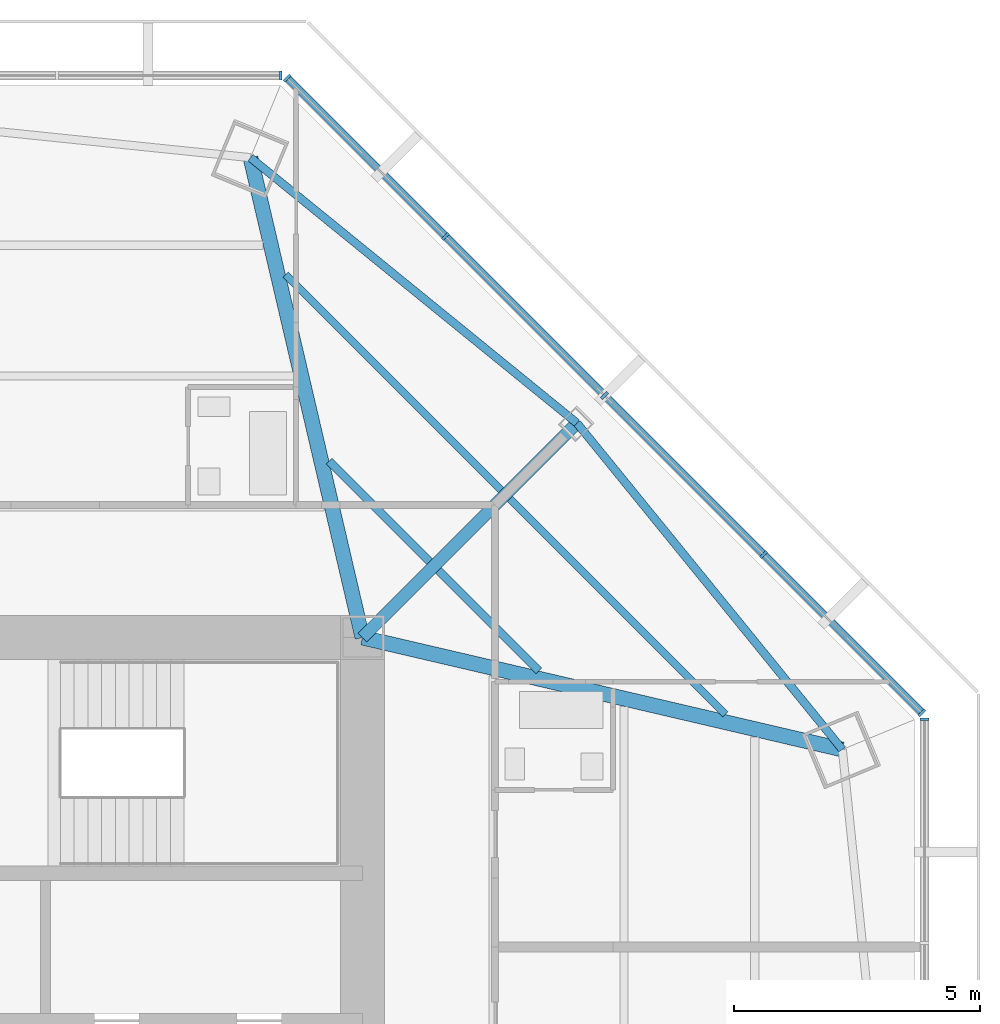
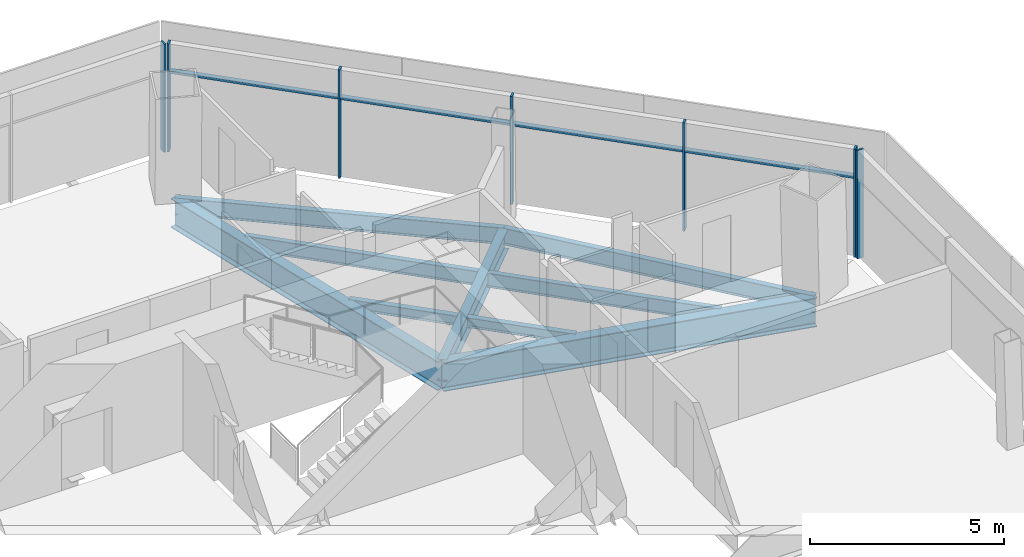
# One storey, part 6 of 15: 11 members, 9 beams, 3 elements without a shape of their own.
"""IFC4 building model written with IfcOpenShell, lengths in metres."""

import ifcopenshell
import ifcopenshell.guid

model = None  # the IFC model being written
_history = None  # IfcOwnerHistory: only IFC2X3 demands one
_inside = {}  # id of a spatial element -> (the spatial element, [elements in it])
_under = {}  # id of a project, library or spatial element -> (it, [spatial elements below it])
_declared = {}  # id of a project -> (the project, [libraries it declares])
_typed = {}  # id of a type object -> (the type object, [elements of that type])
_made_of = {}  # id of a material, layer set ... -> (it, [elements and type objects made of it])


def new_model(schema):
    """Start an empty IFC model of exactly this schema.

    Asked for "IFC4X3", IfcOpenShell would pick the latest addendum, in which some entities
    have other attributes; the version numbers below select the first issue.
    IFC2X3 requires an IfcOwnerHistory on every rooted entity: one is made here for all.
    """
    global model, _history
    if schema == "IFC4X3":
        model = ifcopenshell.file(schema_version=(4, 3, 0, 0))
    else:
        model = ifcopenshell.file(schema=schema)
    _inside.clear()
    _under.clear()
    _declared.clear()
    _typed.clear()
    _made_of.clear()
    _history = None
    if model.schema == "IFC2X3":
        org = make("IfcOrganization", Name="unknown")
        user = make(
            "IfcPersonAndOrganization",
            ThePerson=make("IfcPerson", FamilyName="unknown"),
            TheOrganization=org,
        )
        app = make(
            "IfcApplication",
            ApplicationDeveloper=org,
            Version="unknown",
            ApplicationFullName="unknown",
            ApplicationIdentifier="unknown",
        )
        _history = make(
            "IfcOwnerHistory",
            OwningUser=user,
            OwningApplication=app,
            ChangeAction="ADDED",
            CreationDate=0,
        )
    return model


def make(cls, **values):
    """One entity of the class cls with the attributes given. An attribute that is None is left unset."""
    return model.create_entity(
        cls, **{name: value for name, value in values.items() if value is not None}
    )


def rooted(cls, **values):
    """An entity with a GlobalId (a new one), such as an element, a storey or a relation."""
    return make(cls, GlobalId=ifcopenshell.guid.new(), OwnerHistory=_history, **values)


def si_unit(unit_type, name, prefix=None):
    """IfcSIUnit, for example si_unit("LENGTHUNIT", "METRE", prefix="MILLI")."""
    return make("IfcSIUnit", UnitType=unit_type, Prefix=prefix, Name=name)


def assignment(units):
    """IfcUnitAssignment: the units of a project."""
    return None if units is None else make("IfcUnitAssignment", Units=units)


def point(xyz):
    """IfcCartesianPoint."""
    return None if xyz is None else make("IfcCartesianPoint", Coordinates=xyz)


def direction(xyz):
    """IfcDirection."""
    return None if xyz is None else make("IfcDirection", DirectionRatios=xyz)


def frame(location, z_axis=None, x_axis=None):
    """IfcAxis2Placement3D, a coordinate frame: its origin and axes. An axis left out is left unset."""
    return make(
        "IfcAxis2Placement3D",
        Location=point(location),
        Axis=direction(z_axis),
        RefDirection=direction(x_axis),
    )


def frame_2d(location, x_axis=None):
    """IfcAxis2Placement2D, a coordinate frame in the plane: its origin and x axis."""
    return make(
        "IfcAxis2Placement2D", Location=point(location), RefDirection=direction(x_axis)
    )


def origin():
    """The frame at (0, 0, 0) with its axes left unset."""
    return frame((0.0, 0.0, 0.0))


def origin_2d():
    """The frame at (0, 0) in the plane with its x axis left unset."""
    return frame_2d((0.0, 0.0))


def place(relative_to, where):
    """IfcLocalPlacement: puts the frame where relative to a parent placement (None: the world)."""
    return make(
        "IfcLocalPlacement", PlacementRelTo=relative_to, RelativePlacement=where
    )


def context(
    kind, dimensions, precision=None, world=None, true_north=None, identifier=None
):
    """IfcGeometricRepresentationContext, for example the 3D "Model" context."""
    return make(
        "IfcGeometricRepresentationContext",
        ContextIdentifier=identifier,
        ContextType=kind,
        CoordinateSpaceDimension=dimensions,
        Precision=precision,
        WorldCoordinateSystem=world,
        TrueNorth=true_north,
    )


def subcontext(parent, identifier, kind, view, scale=None):
    """IfcGeometricRepresentationSubContext, for example "Body" below "Model"."""
    return make(
        "IfcGeometricRepresentationSubContext",
        ContextIdentifier=identifier,
        ContextType=kind,
        ParentContext=parent,
        TargetScale=scale,
        TargetView=view,
    )


def project(units=None, contexts=None):
    """IfcProject with its units and contexts."""
    return rooted(
        "IfcProject",
        Name="project",
        RepresentationContexts=contexts,
        UnitsInContext=assignment(units),
    )


def spatial(cls, under=None, at=None, **own):
    """A site, building, storey or space (cls), placed at a placement, below another one or the project."""
    s = rooted(cls, ObjectPlacement=at, **own)
    if under is not None:
        _under.setdefault(under.id(), (under, []))[1].append(s)
    return s


def profile(cls, at=None, kind="AREA", **sizes):
    """A parametric profile (cls). Its sizes go by their IFC names, for example OverallWidth=200.0."""
    return make(cls, ProfileType=kind, Position=at, **sizes)


def rectangle(**sizes):
    """IfcRectangleProfileDef."""
    return profile("IfcRectangleProfileDef", **sizes)


def i_section(**sizes):
    """IfcIShapeProfileDef."""
    return profile("IfcIShapeProfileDef", **sizes)


def extrude(swept, where, along, depth):
    """IfcExtrudedAreaSolid: the profile swept, set in the frame where, extruded along a direction by depth."""
    return make(
        "IfcExtrudedAreaSolid",
        SweptArea=swept,
        Position=where,
        ExtrudedDirection=direction(along),
        Depth=depth,
    )


def shape(context_of_items, identifier, shape_type, items):
    """IfcShapeRepresentation: the items that make up one representation, for example the "Body"."""
    return make(
        "IfcShapeRepresentation",
        ContextOfItems=context_of_items,
        RepresentationIdentifier=identifier,
        RepresentationType=shape_type,
        Items=items,
    )


def source(mapping_origin, context_of_items, identifier, shape_type, items):
    """IfcRepresentationMap: a shape defined once, which mapped items show again and again."""
    return make(
        "IfcRepresentationMap",
        MappingOrigin=mapping_origin,
        MappedRepresentation=shape(context_of_items, identifier, shape_type, items),
    )


def transform(
    local_origin,
    x_axis=None,
    y_axis=None,
    z_axis=None,
    scale=None,
    scale2=None,
    scale3=None,
    uniform=True,
):
    """IfcCartesianTransformationOperator3D, or its non-uniform kind. x_axis, y_axis, z_axis: its Axis1, 2, 3."""
    if uniform:
        return make(
            "IfcCartesianTransformationOperator3D",
            Axis1=direction(x_axis),
            Axis2=direction(y_axis),
            LocalOrigin=point(local_origin),
            Scale=scale,
            Axis3=direction(z_axis),
        )
    return make(
        "IfcCartesianTransformationOperator3DnonUniform",
        Axis1=direction(x_axis),
        Axis2=direction(y_axis),
        LocalOrigin=point(local_origin),
        Scale=scale,
        Axis3=direction(z_axis),
        Scale2=scale2,
        Scale3=scale3,
    )


def mapped(mapping_source, mapping_target):
    """IfcMappedItem: shows the shape of a source again, moved by a transform."""
    return make(
        "IfcMappedItem", MappingSource=mapping_source, MappingTarget=mapping_target
    )


def material(Name=None, Category=None):
    """IfcMaterial."""
    return make("IfcMaterial", Name=Name, Category=Category)


def material_profile(
    of_material, cross_section, Name=None, Category=None, Priority=None
):
    """IfcMaterialProfile: a cross section and its material."""
    return make(
        "IfcMaterialProfile",
        Name=Name,
        Material=of_material,
        Profile=cross_section,
        Priority=Priority,
        Category=Category,
    )


def profile_set(profiles, Name=None, composite=None):
    """IfcMaterialProfileSet."""
    return make(
        "IfcMaterialProfileSet",
        Name=Name,
        MaterialProfiles=profiles,
        CompositeProfile=composite,
    )


def made_of(thing, what):
    """Note that an element or type object is made of a material, layer set ...; save() writes the relation."""
    if what is not None:
        _made_of.setdefault(what.id(), (what, []))[1].append(thing)
    return thing


def type_object(cls, material=None, **own):
    """A type object (cls), such as IfcWallType, which elements share."""
    return made_of(rooted(cls, **own), material)


def type_shapes(of_type, sources):
    """Give a type object the sources (RepresentationMaps) that its elements show as mapped items."""
    of_type.RepresentationMaps = sources


def element(
    cls,
    number,
    at=None,
    inside=None,
    cuts=None,
    type_object=None,
    material=None,
    context=None,
    identifier="Body",
    shape_type=None,
    held_by="IfcProductDefinitionShape",
    body=None,
    shapes=None,
    **own,
):
    """One element of the class cls, such as IfcWall. Its Tag is "e" and its number.

    at: its placement. inside: the storey or other place that contains it. cuts: it is an
    opening in that element (IfcRelVoidsElement). A single representation is given by context,
    identifier, shape_type and body (its items); several are given by shapes. held_by: the class
    of the entity that holds the representations. save() writes the other relations.
    """
    e = rooted(cls, Tag="e%d" % number, ObjectPlacement=at, **own)
    if body is not None:
        shapes = [shape(context, identifier, shape_type, body)]
    if shapes is not None:
        e.Representation = make(held_by, Representations=shapes)
    if inside is not None:
        _inside.setdefault(inside.id(), (inside, []))[1].append(e)
    if cuts is not None:
        rooted(
            "IfcRelVoidsElement", RelatingBuildingElement=cuts, RelatedOpeningElement=e
        )
    if type_object is not None:
        _typed.setdefault(type_object.id(), (type_object, []))[1].append(e)
    return made_of(e, material)


def aggregate(whole, parts):
    """IfcRelAggregates: a whole, such as a stair, and the parts it consists of."""
    return rooted("IfcRelAggregates", RelatingObject=whole, RelatedObjects=parts)


def save(model, path):
    """Write the relations noted so far, then the file.

    IfcRelAggregates (storeys below a building ...), IfcRelContainedInSpatialStructure (elements
    in a storey), IfcRelDefinesByType, IfcRelAssociatesMaterial and IfcRelDeclares: one each for
    every whole, place, type object, material and project.
    """
    for whole, parts in _under.values():
        aggregate(whole, parts)
    for where, things in _inside.values():
        rooted(
            "IfcRelContainedInSpatialStructure",
            RelatedElements=things,
            RelatingStructure=where,
        )
    for kind, things in _typed.values():
        rooted("IfcRelDefinesByType", RelatedObjects=things, RelatingType=kind)
    for what, things in _made_of.values():
        rooted("IfcRelAssociatesMaterial", RelatedObjects=things, RelatingMaterial=what)
    for by, libraries in _declared.values():
        rooted("IfcRelDeclares", RelatingContext=by, RelatedDefinitions=libraries)
    model.write(path)


model = new_model("IFC4")

# Units and contexts
model_context = context("Model", 3, precision=1e-05, world=origin(), true_north=direction((0.0, 1.0)))
body_context = subcontext(model_context, "Body", "Model", "MODEL_VIEW")
ifc_project = project(units=[si_unit("LENGTHUNIT", "METRE"), si_unit("AREAUNIT", "SQUARE_METRE"), si_unit("VOLUMEUNIT", "CUBIC_METRE"), si_unit("PLANEANGLEUNIT", "RADIAN"), si_unit("MASSUNIT", "GRAM", prefix="KILO")], contexts=[model_context])

# Site, building, storey
site_placement = place(None, origin())
site = spatial("IfcSite", under=ifc_project, at=site_placement, CompositionType="ELEMENT")
building_placement = place(site_placement, origin())
building = spatial("IfcBuilding", under=site, at=building_placement, Name="Mashrafa Tower", CompositionType="ELEMENT")
storey_placement = place(building_placement, frame((0.0, 0.0, 204.0)))
storey = spatial("IfcBuildingStorey", under=building, at=storey_placement, Name="L46", CompositionType="ELEMENT", Elevation=204.0)

# Beams
ifc_material_1 = material(Name="Steel ASTM A992", Category="steel")
ifc_material_profile_1 = material_profile(ifc_material_1, i_section(OverallWidth=0.164794921875, OverallDepth=0.309814453125, WebThickness=0.005859375, FlangeThickness=0.009765625, FilletRadius=0.007568359375, at=origin_2d()), Name="W12X26")
ifc_profile_set_1 = profile_set([ifc_material_profile_1], Name="Steel ASTM A992")
beam_type_1 = type_object("IfcBeamType", Name="Beam W12X26", PredefinedType="BEAM", material=ifc_profile_set_1)
for number, where, z_axis, x_axis, name in (
    (1, (10.118408203125, 14.392822265625, -0.35498046875), (0.707148937372, -0.707064622488, 0.0), (0.707064622488, 0.707148937372, 0.0), "Floor beam L46 027"),
    (2, (12.345458984375, 12.166015625, -0.35498046875), (0.707064622488, -0.707148937372, 0.0), (0.707148937372, 0.707064622488, 0.0), "Floor beam L46 030"),
):
    element("IfcBeam", number, at=place(storey_placement, frame(where, z_axis=z_axis, x_axis=x_axis)), inside=storey, type_object=beam_type_1, Name=name, PredefinedType="BEAM", context=body_context, shape_type="SweptSolid", body=[
        extrude(i_section(OverallWidth=0.164794921875, OverallDepth=0.309814453125, WebThickness=0.005859375, FlangeThickness=0.009765625, FilletRadius=0.007568359375, at=origin_2d()), origin(), (0.0, 0.0, 1.0), 2.8955078125),
    ])
ifc_material_2 = material(Name="Steel ASTM A992", Category="steel")
ifc_material_profile_2 = material_profile(ifc_material_2, i_section(OverallWidth=0.15234375, OverallDepth=0.449462890625, WebThickness=0.007568359375, FlangeThickness=0.0107421875, FilletRadius=0.01025390625, at=origin_2d()), Name="W18X35")
ifc_profile_set_2 = profile_set([ifc_material_profile_2], Name="Steel ASTM A992")
beam_type_2 = type_object("IfcBeamType", Name="Beam W18X35", PredefinedType="BEAM", material=ifc_profile_set_2)
for number, where, z_axis, x_axis, name in (
    (3, (9.23291015625, 18.18994140625, -0.4248046875), (0.707106781187, -0.707106781187, 0.0), (0.707106781187, 0.707106781187, 0.0), "Floor beam L46 025"),
    (4, (13.80126953125, 13.62158203125, -0.4248046875), (0.707106781187, -0.707106781187, 0.0), (0.707106781187, 0.707106781187, 0.0), "Floor beam L46 034"),
):
    element("IfcBeam", number, at=place(storey_placement, frame(where, z_axis=z_axis, x_axis=x_axis)), inside=storey, type_object=beam_type_2, Name=name, PredefinedType="BEAM", context=body_context, shape_type="SweptSolid", body=[
        extrude(i_section(OverallWidth=0.15234375, OverallDepth=0.449462890625, WebThickness=0.007568359375, FlangeThickness=0.0107421875, FilletRadius=0.01025390625, at=origin_2d()), origin(), (0.0, 0.0, 1.0), 6.20654296875),
    ])
ifc_material_3 = material(Name="Steel ASTM A992", Category="steel")
ifc_material_profile_3 = material_profile(ifc_material_3, i_section(OverallWidth=0.1650390625, OverallDepth=0.52587890625, WebThickness=0.0087890625, FlangeThickness=0.011474609375, FilletRadius=0.0126953125, at=origin_2d()), Name="W21X44")
ifc_profile_set_3 = profile_set([ifc_material_profile_3], Name="Steel ASTM A992")
beam_type_3 = type_object("IfcBeamType", Name="Beam W21X44", PredefinedType="BEAM", material=ifc_profile_set_3)
for number, where, z_axis, x_axis, name in (
    (5, (15.1669921875, 15.1669921875, -0.462890625), (-0.775861114857, 0.630903741036, 0.0), (-0.630903741036, -0.775861114857, 0.0), "Spandrel beam L46 069"),
    (6, (20.5712890625, 8.52099609375, -0.462890625), (-0.630903741036, 0.775861114857, 0.0), (-0.775861114857, -0.630903741036, 0.0), "Spandrel beam L46 071"),
):
    element("IfcBeam", number, at=place(storey_placement, frame(where, z_axis=z_axis, x_axis=x_axis)), inside=storey, type_object=beam_type_3, Name=name, PredefinedType="BEAM", context=body_context, shape_type="SweptSolid", body=[
        extrude(i_section(OverallWidth=0.1650390625, OverallDepth=0.52587890625, WebThickness=0.0087890625, FlangeThickness=0.011474609375, FilletRadius=0.0126953125, at=origin_2d()), origin(), (0.0, 0.0, 1.0), 8.56591796875),
    ])
ifc_material_4 = material(Name="Steel ASTM A992", Category="steel")
ifc_material_profile_4 = material_profile(ifc_material_4, i_section(OverallWidth=0.25390625, OverallDepth=0.67822265625, WebThickness=0.01171875, FlangeThickness=0.016357421875, FilletRadius=0.01513671875, at=origin_2d()), Name="W27X84")
ifc_profile_set_4 = profile_set([ifc_material_profile_4], Name="Steel ASTM A992")
beam_type_4 = type_object("IfcBeamType", Name="Beam W27X84", PredefinedType="BEAM", material=ifc_profile_set_4)
beam_placement = place(storey_placement, frame((10.800048828125, 10.800048828125, -0.5390625), z_axis=(0.707106781187, 0.707106781187, 0.0), x_axis=(-0.707106781187, 0.707106781187, 0.0)))
element("IfcBeam", 7, at=beam_placement, inside=storey, type_object=beam_type_4, Name="Radial girder L46 055", PredefinedType="BEAM", context=body_context, shape_type="SweptSolid", body=[
    extrude(i_section(OverallWidth=0.25390625, OverallDepth=0.67822265625, WebThickness=0.01171875, FlangeThickness=0.016357421875, FilletRadius=0.01513671875, at=origin_2d()), origin(), (0.0, 0.0, 1.0), 6.17578125),
])
ifc_material_5 = material(Name="Steel ASTM A992", Category="steel")
ifc_material_profile_5 = material_profile(ifc_material_5, i_section(OverallWidth=0.3046875, OverallDepth=0.911865234375, WebThickness=0.015869140625, FlangeThickness=0.02392578125, FilletRadius=0.01904296875, at=origin_2d()), Name="W36X150")
ifc_profile_set_5 = profile_set([ifc_material_profile_5], Name="Steel ASTM A992")
beam_type_5 = type_object("IfcBeamType", Name="Beam W36X150", PredefinedType="BEAM", material=ifc_profile_set_5)
for number, where, z_axis, x_axis, name in (
    (8, (10.800048828125, 10.800048828125, -0.656005859375), (-0.227144232912, 0.973861128424, 0.0), (-0.973861128424, -0.227144232912, 0.0), "Radial girder L46 054"),
    (9, (10.800048828125, 10.800048828125, -0.656005859375), (0.973861128424, -0.227144232912, 0.0), (0.227144232912, 0.973861128424, 0.0), "Radial girder L46 056"),
):
    element("IfcBeam", number, at=place(storey_placement, frame(where, z_axis=z_axis, x_axis=x_axis)), inside=storey, type_object=beam_type_5, Name=name, PredefinedType="BEAM", context=body_context, shape_type="SweptSolid", body=[
        extrude(i_section(OverallWidth=0.3046875, OverallDepth=0.911865234375, WebThickness=0.015869140625, FlangeThickness=0.02392578125, FilletRadius=0.01904296875, at=origin_2d()), origin(), (0.0, 0.0, 1.0), 10.033447265625),
    ])

# Curtain wall, member
ifc_material_6 = material(Name="Unitised aluminium curtain wall", Category="aluminium")
curtain_wall_type = type_object("IfcCurtainWallType", Name="Apartment curtain wall, zone 3 CW-C 180 deep", PredefinedType="NOTDEFINED", material=ifc_material_6)
curtain_wall_1_placement = place(storey_placement, origin())
curtain_wall_1 = element("IfcCurtainWall", 10, at=curtain_wall_1_placement, inside=storey, type_object=curtain_wall_type, Name="Apartment curtain wall, zone 3 L46 east", PredefinedType="NOTDEFINED")
ifc_material_7 = material(Name="Extruded aluminium mullion", Category="aluminium")
ifc_material_profile_6 = material_profile(ifc_material_7, rectangle(XDim=0.179931640625, YDim=0.06005859375, at=origin_2d()), Name="Mullion 60x180")
ifc_profile_set_6 = profile_set([ifc_material_profile_6], Name="Extruded aluminium mullion")
member_type_1 = type_object("IfcMemberType", Name="Mullion CW-C 60 x 180", PredefinedType="MULLION", material=ifc_profile_set_6)
shared_shape_1 = source(origin(), body_context, "Body", "SweptSolid", [
    extrude(rectangle(XDim=0.179931640625, YDim=0.06005859375, at=origin_2d()), origin(), (0.0, 0.0, 1.0), 3.39990234375),
])
type_shapes(member_type_1, [shared_shape_1])
member_1_placement = place(storey_placement, frame((22.243896484375, 9.136474609375, 0.0), z_axis=(0.0, 0.0, 1.0), x_axis=(-1.0, 0.0, 0.0)))
member_1 = element("IfcMember", 11, at=member_1_placement, type_object=member_type_1, Name="CW-C mullion 5", PredefinedType="MULLION", context=body_context, shape_type="MappedRepresentation", body=[
    mapped(shared_shape_1, transform((0.0, 0.0, 0.0))),
])
aggregate(curtain_wall_1, [member_1])

# Curtain wall, members
curtain_wall_2_placement = place(storey_placement, origin())
curtain_wall_2 = element("IfcCurtainWall", 12, at=curtain_wall_2_placement, inside=storey, type_object=curtain_wall_type, Name="Apartment curtain wall, zone 3 L46 north-east", PredefinedType="NOTDEFINED")
member_2_placement = place(storey_placement, frame((22.189208984375, 9.268310546875, 0.0), z_axis=(0.0, 0.0, 1.0), x_axis=(-0.707106781187, -0.707106781187, 0.0)))
member_2 = element("IfcMember", 13, at=member_2_placement, type_object=member_type_1, Name="CW-C mullion 1", PredefinedType="MULLION", context=body_context, shape_type="MappedRepresentation", body=[
    mapped(shared_shape_1, transform((0.0, 0.0, 0.0))),
])
member_3_placement = place(storey_placement, frame((18.969482421875, 12.488037109375, 0.0), z_axis=(0.0, 0.0, 1.0), x_axis=(-0.707106781187, -0.707106781187, 0.0)))
member_3 = element("IfcMember", 14, at=member_3_placement, type_object=member_type_1, Name="CW-C mullion 2", PredefinedType="MULLION", context=body_context, shape_type="MappedRepresentation", body=[
    mapped(shared_shape_1, transform((0.0, 0.0, 0.0))),
])
member_4_placement = place(storey_placement, frame((15.728759765625, 15.728759765625, 0.0), z_axis=(0.0, 0.0, 1.0), x_axis=(-0.707106781187, -0.707106781187, 0.0)))
member_4 = element("IfcMember", 15, at=member_4_placement, type_object=member_type_1, Name="CW-C mullion 3", PredefinedType="MULLION", context=body_context, shape_type="MappedRepresentation", body=[
    mapped(shared_shape_1, transform((0.0, 0.0, 0.0))),
])
member_5_placement = place(storey_placement, frame((12.488037109375, 18.969482421875, 0.0), z_axis=(0.0, 0.0, 1.0), x_axis=(-0.707106781187, -0.707106781187, 0.0)))
member_5 = element("IfcMember", 16, at=member_5_placement, type_object=member_type_1, Name="CW-C mullion 4", PredefinedType="MULLION", context=body_context, shape_type="MappedRepresentation", body=[
    mapped(shared_shape_1, transform((0.0, 0.0, 0.0))),
])
member_6_placement = place(storey_placement, frame((9.268310546875, 22.189208984375, 0.0), z_axis=(0.0, 0.0, 1.0), x_axis=(-0.707106781187, -0.707106781187, 0.0)))
member_6 = element("IfcMember", 17, at=member_6_placement, type_object=member_type_1, Name="CW-C mullion 5", PredefinedType="MULLION", context=body_context, shape_type="MappedRepresentation", body=[
    mapped(shared_shape_1, transform((0.0, 0.0, 0.0))),
])

# Curtain wall, member
curtain_wall_3_placement = place(storey_placement, origin())
curtain_wall_3 = element("IfcCurtainWall", 18, at=curtain_wall_3_placement, inside=storey, type_object=curtain_wall_type, Name="Apartment curtain wall, zone 3 L46 north", PredefinedType="NOTDEFINED")
member_7_placement = place(storey_placement, frame((9.136474609375, 22.243896484375, 0.0), z_axis=(0.0, 0.0, 1.0), x_axis=(0.0, -1.0, 0.0)))
member_7 = element("IfcMember", 19, at=member_7_placement, type_object=member_type_1, Name="CW-C mullion 1", PredefinedType="MULLION", context=body_context, shape_type="MappedRepresentation", body=[
    mapped(shared_shape_1, transform((0.0, 0.0, 0.0))),
])
aggregate(curtain_wall_3, [member_7])

# Member
ifc_material_8 = material(Name="Extruded aluminium transom", Category="aluminium")
ifc_material_profile_7 = material_profile(ifc_material_8, rectangle(XDim=0.14404296875, YDim=0.074951171875, at=origin_2d()), Name="Transom 75x144")
ifc_profile_set_7 = profile_set([ifc_material_profile_7], Name="Extruded aluminium transom")
member_type_2 = type_object("IfcMemberType", Name="Transom CW-C 75 x 144", PredefinedType="MULLION", material=ifc_profile_set_7)
shared_shape_2 = source(origin(), body_context, "Body", "SweptSolid", [
    extrude(rectangle(XDim=0.14404296875, YDim=0.074951171875, at=origin_2d()), origin(), (0.0, 0.0, 1.0), 4.523193359375),
])
member_8_placement = place(storey_placement, frame((18.948486328125, 12.50927734375, 2.5), z_axis=(-0.70713376845, 0.707079792893, 0.0), x_axis=(-0.707079792893, -0.70713376845, 0.0)))
member_8 = element("IfcMember", 20, at=member_8_placement, type_object=member_type_2, Name="CW-C transom 2", PredefinedType="MULLION", context=body_context, shape_type="MappedRepresentation", body=[
    mapped(shared_shape_2, transform((0.0, 0.0, 0.0))),
])

member_9_placement = place(storey_placement, frame((15.70751953125, 15.75, 2.5), z_axis=(-0.707079792893, 0.70713376845, 0.0), x_axis=(-0.70713376845, -0.707079792893, 0.0)))
member_9 = element("IfcMember", 21, at=member_9_placement, type_object=member_type_2, Name="CW-C transom 3", PredefinedType="MULLION", context=body_context, shape_type="MappedRepresentation", body=[
    mapped(shared_shape_2, transform((0.0, 0.0, 0.0))),
])

shared_shape_3 = source(origin(), body_context, "Body", "SweptSolid", [
    extrude(rectangle(XDim=0.14404296875, YDim=0.074951171875, at=origin_2d()), origin(), (0.0, 0.0, 1.0), 4.493408203125),
])
type_shapes(member_type_2, [shared_shape_2, shared_shape_3])
member_10_placement = place(storey_placement, frame((22.16796875, 9.28955078125, 2.5), z_axis=(-0.707106781187, 0.707106781187, 0.0), x_axis=(-0.707106781187, -0.707106781187, 0.0)))
member_10 = element("IfcMember", 22, at=member_10_placement, type_object=member_type_2, Name="CW-C transom 1", PredefinedType="MULLION", context=body_context, shape_type="MappedRepresentation", body=[
    mapped(shared_shape_3, transform((0.0, 0.0, 0.0))),
])

member_11_placement = place(storey_placement, frame((12.466796875, 18.99072265625, 2.5), z_axis=(-0.707106781187, 0.707106781187, 0.0), x_axis=(-0.707106781187, -0.707106781187, 0.0)))
member_11 = element("IfcMember", 23, at=member_11_placement, type_object=member_type_2, Name="CW-C transom 4", PredefinedType="MULLION", context=body_context, shape_type="MappedRepresentation", body=[
    mapped(shared_shape_3, transform((0.0, 0.0, 0.0))),
])

aggregate(curtain_wall_2, [member_2, member_3, member_4, member_5, member_6, member_10, member_8, member_9, member_11])

save(model, "model.ifc")
